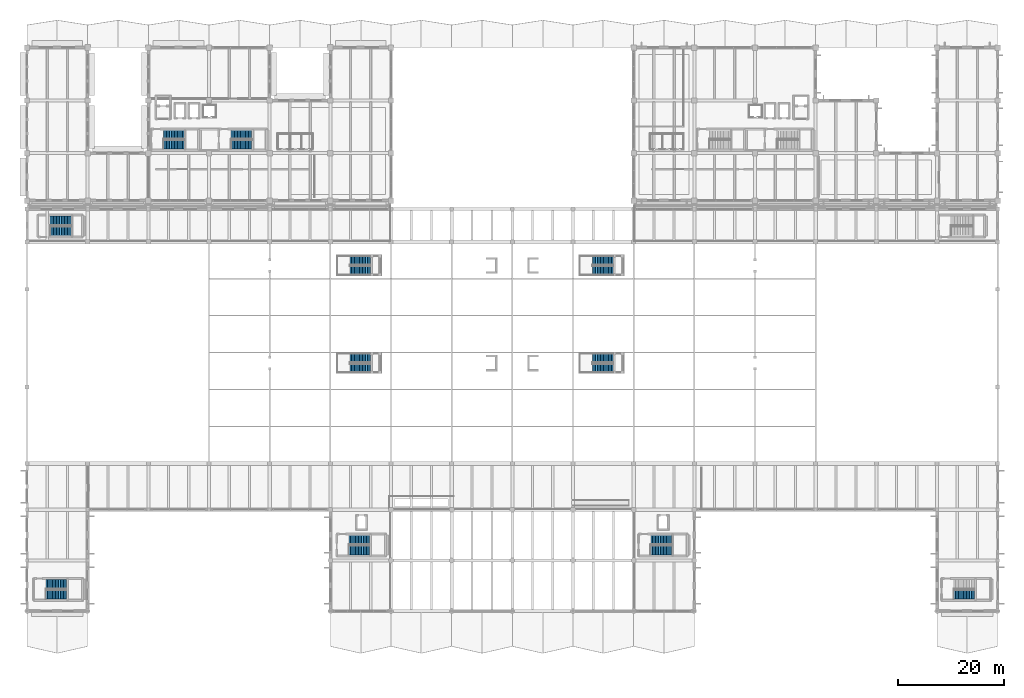
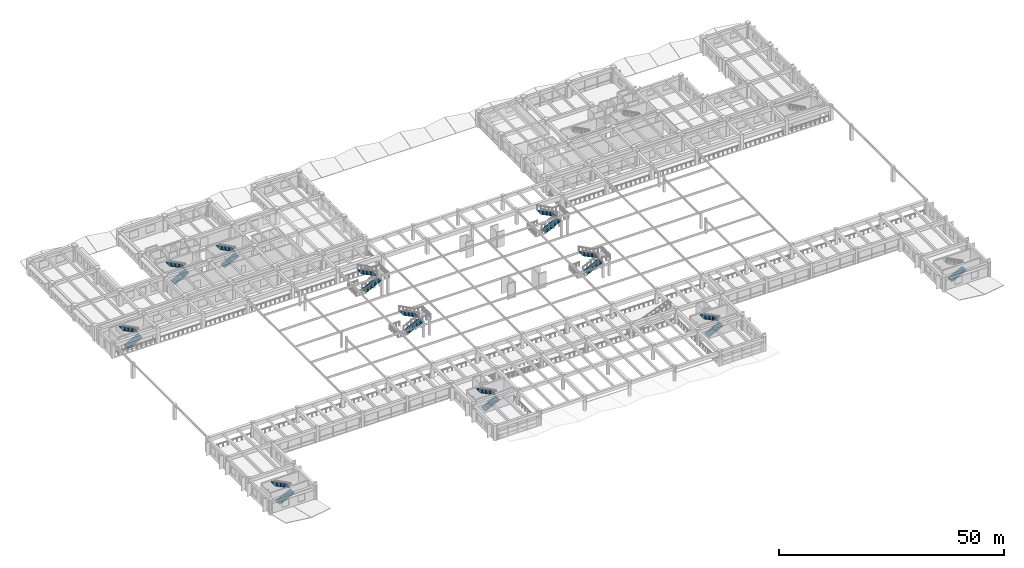
# One storey, part 82 of 98: 21 stair flights, 11 elements without a shape of their own.
"""IFC4 building model written with IfcOpenShell, lengths in metres."""

from ifc_helpers import new_model, si_unit, direction, frame, origin, place, context, subcontext, project, spatial, polyline, outline, extrude, material, type_object, element, aggregate, save


model = new_model("IFC4")

# Units and contexts
model_context = context("Model", 3, precision=1e-05, world=origin(), true_north=direction((0.0, 1.0)))
body_context = subcontext(model_context, "Body", "Model", "MODEL_VIEW")
ifc_project = project(units=[si_unit("LENGTHUNIT", "METRE"), si_unit("AREAUNIT", "SQUARE_METRE"), si_unit("VOLUMEUNIT", "CUBIC_METRE"), si_unit("PLANEANGLEUNIT", "RADIAN"), si_unit("MASSUNIT", "GRAM", prefix="KILO")], contexts=[model_context])

# Site, building, storey
site_placement = place(None, origin())
site = spatial("IfcSite", under=ifc_project, at=site_placement, CompositionType="ELEMENT")
building_placement = place(site_placement, origin())
building = spatial("IfcBuilding", under=site, at=building_placement, Name="Ologun Quay Terminus", CompositionType="ELEMENT")
storey_placement = place(building_placement, frame((0.0, 0.0, 4.199951171875)))
storey = spatial("IfcBuildingStorey", under=building, at=storey_placement, Name="L01", CompositionType="ELEMENT", Elevation=4.199951171875)

# Stair, stair flights
ifc_material_1 = material(Name="Concrete C40/50", Category="concrete")
stair_type_1 = type_object("IfcStairType", Name="Courtyard Wing Core Escape Stair 1700", PredefinedType="HALF_TURN_STAIR", material=ifc_material_1)
stair_1_placement = place(storey_placement, origin())
stair_1 = element("IfcStair", 1, at=stair_1_placement, inside=storey, type_object=stair_type_1, Name="ST-W1 Stair L01", PredefinedType="HALF_TURN_STAIR")
ifc_material_2 = material(Name="Concrete C40/50", Category="concrete")
stair_flight_type_1 = type_object("IfcStairFlightType", Name="Courtyard Wing Precast Concrete Stair Flight 1700", PredefinedType="STRAIGHT", material=ifc_material_2)
stair_flight_1_placement = place(storey_placement, frame((25.85009765625, 96.449951171875, 0.0), z_axis=(0.0, 0.0, 1.0), x_axis=(1.0, 0.0, 0.0)))
stair_flight_1 = element("IfcStairFlight", 2, at=stair_flight_1_placement, type_object=stair_flight_type_1, Name="ST-W1 Lower Flight L01", NumberOfRisers=14, NumberOfTreads=13, PredefinedType="STRAIGHT", RiserHeight=0.15, TreadLength=0.3, context=body_context, shape_type="SweptSolid", body=[
    extrude(outline(polyline([(0.0, 0.0), (0.0, 0.14990234375), (0.300048828125, 0.14990234375), (0.300048828125, 0.300048828125), (0.60009765625, 0.300048828125), (0.60009765625, 0.449951171875), (0.89990234375, 0.449951171875), (0.89990234375, 0.60009765625), (1.199951171875, 0.60009765625), (1.199951171875, 0.75), (1.5, 0.75), (1.5, 0.89990234375), (1.800048828125, 0.89990234375), (1.800048828125, 1.050048828125), (2.10009765625, 1.050048828125), (2.10009765625, 1.199951171875), (2.39990234375, 1.199951171875), (2.39990234375, 1.35009765625), (2.699951171875, 1.35009765625), (2.699951171875, 1.5), (3.0, 1.5), (3.0, 1.64990234375), (3.300048828125, 1.64990234375), (3.300048828125, 1.800048828125), (3.60009765625, 1.800048828125), (3.60009765625, 1.949951171875), (3.89990234375, 1.949951171875), (3.89990234375, 2.10009765625), (3.89990234375, 1.748779296875), (0.40234375, 0.0), (0.0, 0.0)])), frame((0.0, 0.85009765625, 0.0), z_axis=(0.0, -1.0, 0.0), x_axis=(1.0, 0.0, 0.0)), (0.0, 0.0, 1.0), 1.699951171875),
])
stair_flight_2_placement = place(storey_placement, frame((29.75, 98.25, 2.10009765625), z_axis=(0.0, 0.0, 1.0), x_axis=(-1.0, 0.0, 0.0)))
stair_flight_2 = element("IfcStairFlight", 3, at=stair_flight_2_placement, type_object=stair_flight_type_1, Name="ST-W1 Upper Flight L01", NumberOfRisers=14, NumberOfTreads=13, PredefinedType="STRAIGHT", RiserHeight=0.15, TreadLength=0.3, context=body_context, shape_type="SweptSolid", body=[
    extrude(outline(polyline([(0.0, 0.0), (0.0, 0.14990234375), (0.300048828125, 0.14990234375), (0.300048828125, 0.300048828125), (0.60009765625, 0.300048828125), (0.60009765625, 0.449951171875), (0.89990234375, 0.449951171875), (0.89990234375, 0.60009765625), (1.199951171875, 0.60009765625), (1.199951171875, 0.75), (1.5, 0.75), (1.5, 0.89990234375), (1.800048828125, 0.89990234375), (1.800048828125, 1.050048828125), (2.10009765625, 1.050048828125), (2.10009765625, 1.199951171875), (2.39990234375, 1.199951171875), (2.39990234375, 1.35009765625), (2.699951171875, 1.35009765625), (2.699951171875, 1.5), (3.0, 1.5), (3.0, 1.64990234375), (3.300048828125, 1.64990234375), (3.300048828125, 1.800048828125), (3.60009765625, 1.800048828125), (3.60009765625, 1.949951171875), (3.89990234375, 1.949951171875), (3.89990234375, 2.10009765625), (3.89990234375, 1.748779296875), (0.40234375, 0.0), (0.0, 0.0)])), frame((0.0, 0.85009765625, 0.0), z_axis=(0.0, -1.0, 0.0), x_axis=(1.0, 0.0, 0.0)), (0.0, 0.0, 1.0), 1.699951171875),
])
aggregate(stair_1, [stair_flight_1, stair_flight_2])

stair_2_placement = place(storey_placement, origin())
stair_2 = element("IfcStair", 4, at=stair_2_placement, inside=storey, type_object=stair_type_1, Name="ST-W2 Stair L01", PredefinedType="HALF_TURN_STAIR")
stair_flight_3_placement = place(storey_placement, frame((38.699951171875, 96.449951171875, 0.0), z_axis=(0.0, 0.0, 1.0), x_axis=(1.0, 0.0, 0.0)))
stair_flight_3 = element("IfcStairFlight", 5, at=stair_flight_3_placement, type_object=stair_flight_type_1, Name="ST-W2 Lower Flight L01", NumberOfRisers=14, NumberOfTreads=13, PredefinedType="STRAIGHT", RiserHeight=0.15, TreadLength=0.3, context=body_context, shape_type="SweptSolid", body=[
    extrude(outline(polyline([(0.0, 0.0), (0.0, 0.14990234375), (0.300048828125, 0.14990234375), (0.300048828125, 0.300048828125), (0.60009765625, 0.300048828125), (0.60009765625, 0.449951171875), (0.89990234375, 0.449951171875), (0.89990234375, 0.60009765625), (1.199951171875, 0.60009765625), (1.199951171875, 0.75), (1.5, 0.75), (1.5, 0.89990234375), (1.800048828125, 0.89990234375), (1.800048828125, 1.050048828125), (2.10009765625, 1.050048828125), (2.10009765625, 1.199951171875), (2.39990234375, 1.199951171875), (2.39990234375, 1.35009765625), (2.699951171875, 1.35009765625), (2.699951171875, 1.5), (3.0, 1.5), (3.0, 1.64990234375), (3.300048828125, 1.64990234375), (3.300048828125, 1.800048828125), (3.60009765625, 1.800048828125), (3.60009765625, 1.949951171875), (3.89990234375, 1.949951171875), (3.89990234375, 2.10009765625), (3.89990234375, 1.748779296875), (0.40234375, 0.0), (0.0, 0.0)])), frame((0.0, 0.85009765625, 0.0), z_axis=(0.0, -1.0, 0.0), x_axis=(1.0, 0.0, 0.0)), (0.0, 0.0, 1.0), 1.699951171875),
])
stair_flight_4_placement = place(storey_placement, frame((42.60009765625, 98.25, 2.10009765625), z_axis=(0.0, 0.0, 1.0), x_axis=(-1.0, 0.0, 0.0)))
stair_flight_4 = element("IfcStairFlight", 6, at=stair_flight_4_placement, type_object=stair_flight_type_1, Name="ST-W2 Upper Flight L01", NumberOfRisers=14, NumberOfTreads=13, PredefinedType="STRAIGHT", RiserHeight=0.15, TreadLength=0.3, context=body_context, shape_type="SweptSolid", body=[
    extrude(outline(polyline([(0.0, 0.0), (0.0, 0.14990234375), (0.300048828125, 0.14990234375), (0.300048828125, 0.300048828125), (0.60009765625, 0.300048828125), (0.60009765625, 0.449951171875), (0.89990234375, 0.449951171875), (0.89990234375, 0.60009765625), (1.199951171875, 0.60009765625), (1.199951171875, 0.75), (1.5, 0.75), (1.5, 0.89990234375), (1.800048828125, 0.89990234375), (1.800048828125, 1.050048828125), (2.10009765625, 1.050048828125), (2.10009765625, 1.199951171875), (2.39990234375, 1.199951171875), (2.39990234375, 1.35009765625), (2.699951171875, 1.35009765625), (2.699951171875, 1.5), (3.0, 1.5), (3.0, 1.64990234375), (3.300048828125, 1.64990234375), (3.300048828125, 1.800048828125), (3.60009765625, 1.800048828125), (3.60009765625, 1.949951171875), (3.89990234375, 1.949951171875), (3.89990234375, 2.10009765625), (3.89990234375, 1.748779296875), (0.40234375, 0.0), (0.0, 0.0)])), frame((0.0, 0.85009765625, 0.0), z_axis=(0.0, -1.0, 0.0), x_axis=(1.0, 0.0, 0.0)), (0.0, 0.0, 1.0), 1.699951171875),
])
aggregate(stair_2, [stair_flight_3, stair_flight_4])

ifc_material_3 = material(Name="Concrete C40/50", Category="concrete")
stair_type_2 = type_object("IfcStairType", Name="Platform Concourse Transfer Stair 1700", PredefinedType="HALF_TURN_STAIR", material=ifc_material_3)
stair_3_placement = place(storey_placement, origin())
stair_3 = element("IfcStair", 7, at=stair_3_placement, inside=storey, type_object=stair_type_2, Name="ST-P1U Stair L01", PredefinedType="HALF_TURN_STAIR")
ifc_material_4 = material(Name="Concrete C40/50", Category="concrete")
stair_flight_type_2 = type_object("IfcStairFlightType", Name="Platform Transfer Stair Flight 1700", PredefinedType="STRAIGHT", material=ifc_material_4)
stair_flight_5_placement = place(storey_placement, frame((61.199951171875, 54.050048828125, 0.0), z_axis=(0.0, 0.0, 1.0), x_axis=(1.0, 0.0, 0.0)))
stair_flight_5 = element("IfcStairFlight", 8, at=stair_flight_5_placement, type_object=stair_flight_type_2, Name="ST-P1U Lower Flight L01", NumberOfRisers=14, NumberOfTreads=13, PredefinedType="STRAIGHT", RiserHeight=0.15, TreadLength=0.3, context=body_context, shape_type="SweptSolid", body=[
    extrude(outline(polyline([(0.0, 0.0), (0.0, 0.14990234375), (0.300048828125, 0.14990234375), (0.300048828125, 0.300048828125), (0.60009765625, 0.300048828125), (0.60009765625, 0.449951171875), (0.89990234375, 0.449951171875), (0.89990234375, 0.60009765625), (1.199951171875, 0.60009765625), (1.199951171875, 0.75), (1.5, 0.75), (1.5, 0.89990234375), (1.800048828125, 0.89990234375), (1.800048828125, 1.050048828125), (2.10009765625, 1.050048828125), (2.10009765625, 1.199951171875), (2.39990234375, 1.199951171875), (2.39990234375, 1.35009765625), (2.699951171875, 1.35009765625), (2.699951171875, 1.5), (3.0, 1.5), (3.0, 1.64990234375), (3.300048828125, 1.64990234375), (3.300048828125, 1.800048828125), (3.60009765625, 1.800048828125), (3.60009765625, 1.949951171875), (3.89990234375, 1.949951171875), (3.89990234375, 2.10009765625), (3.89990234375, 1.737548828125), (0.4248046875, 0.0), (0.0, 0.0)])), frame((0.0, 0.85009765625, 0.0), z_axis=(0.0, -1.0, 0.0), x_axis=(1.0, 0.0, 0.0)), (0.0, 0.0, 1.0), 1.699951171875),
])
stair_flight_6_placement = place(storey_placement, frame((65.10009765625, 55.949951171875, 2.10009765625), z_axis=(0.0, 0.0, 1.0), x_axis=(-1.0, 0.0, 0.0)))
stair_flight_6 = element("IfcStairFlight", 9, at=stair_flight_6_placement, type_object=stair_flight_type_2, Name="ST-P1U Upper Flight L01", NumberOfRisers=14, NumberOfTreads=13, PredefinedType="STRAIGHT", RiserHeight=0.15, TreadLength=0.3, context=body_context, shape_type="SweptSolid", body=[
    extrude(outline(polyline([(0.0, 0.0), (0.0, 0.14990234375), (0.300048828125, 0.14990234375), (0.300048828125, 0.300048828125), (0.60009765625, 0.300048828125), (0.60009765625, 0.449951171875), (0.89990234375, 0.449951171875), (0.89990234375, 0.60009765625), (1.199951171875, 0.60009765625), (1.199951171875, 0.75), (1.5, 0.75), (1.5, 0.89990234375), (1.800048828125, 0.89990234375), (1.800048828125, 1.050048828125), (2.10009765625, 1.050048828125), (2.10009765625, 1.199951171875), (2.39990234375, 1.199951171875), (2.39990234375, 1.35009765625), (2.699951171875, 1.35009765625), (2.699951171875, 1.5), (3.0, 1.5), (3.0, 1.64990234375), (3.300048828125, 1.64990234375), (3.300048828125, 1.800048828125), (3.60009765625, 1.800048828125), (3.60009765625, 1.949951171875), (3.89990234375, 1.949951171875), (3.89990234375, 2.10009765625), (3.89990234375, 1.737548828125), (0.4248046875, 0.0), (0.0, 0.0)])), frame((0.0, 0.85009765625, 0.0), z_axis=(0.0, -1.0, 0.0), x_axis=(1.0, 0.0, 0.0)), (0.0, 0.0, 1.0), 1.699951171875),
])
aggregate(stair_3, [stair_flight_5, stair_flight_6])

stair_4_placement = place(storey_placement, origin())
stair_4 = element("IfcStair", 10, at=stair_4_placement, inside=storey, type_object=stair_type_2, Name="ST-P2U Stair L01", PredefinedType="HALF_TURN_STAIR")
stair_flight_7_placement = place(storey_placement, frame((107.199951171875, 54.050048828125, 0.0), z_axis=(0.0, 0.0, 1.0), x_axis=(1.0, 0.0, 0.0)))
stair_flight_7 = element("IfcStairFlight", 11, at=stair_flight_7_placement, type_object=stair_flight_type_2, Name="ST-P2U Lower Flight L01", NumberOfRisers=14, NumberOfTreads=13, PredefinedType="STRAIGHT", RiserHeight=0.15, TreadLength=0.3, context=body_context, shape_type="SweptSolid", body=[
    extrude(outline(polyline([(0.0, 0.0), (0.0, 0.14990234375), (0.300048828125, 0.14990234375), (0.300048828125, 0.300048828125), (0.60009765625, 0.300048828125), (0.60009765625, 0.449951171875), (0.89990234375, 0.449951171875), (0.89990234375, 0.60009765625), (1.199951171875, 0.60009765625), (1.199951171875, 0.75), (1.5, 0.75), (1.5, 0.89990234375), (1.800048828125, 0.89990234375), (1.800048828125, 1.050048828125), (2.10009765625, 1.050048828125), (2.10009765625, 1.199951171875), (2.39990234375, 1.199951171875), (2.39990234375, 1.35009765625), (2.699951171875, 1.35009765625), (2.699951171875, 1.5), (3.0, 1.5), (3.0, 1.64990234375), (3.300048828125, 1.64990234375), (3.300048828125, 1.800048828125), (3.60009765625, 1.800048828125), (3.60009765625, 1.949951171875), (3.89990234375, 1.949951171875), (3.89990234375, 2.10009765625), (3.89990234375, 1.737548828125), (0.4248046875, 0.0), (0.0, 0.0)])), frame((0.0, 0.85009765625, 0.0), z_axis=(0.0, -1.0, 0.0), x_axis=(1.0, 0.0, 0.0)), (0.0, 0.0, 1.0), 1.699951171875),
])
stair_flight_8_placement = place(storey_placement, frame((111.10009765625, 55.949951171875, 2.10009765625), z_axis=(0.0, 0.0, 1.0), x_axis=(-1.0, 0.0, 0.0)))
stair_flight_8 = element("IfcStairFlight", 12, at=stair_flight_8_placement, type_object=stair_flight_type_2, Name="ST-P2U Upper Flight L01", NumberOfRisers=14, NumberOfTreads=13, PredefinedType="STRAIGHT", RiserHeight=0.15, TreadLength=0.3, context=body_context, shape_type="SweptSolid", body=[
    extrude(outline(polyline([(0.0, 0.0), (0.0, 0.14990234375), (0.300048828125, 0.14990234375), (0.300048828125, 0.300048828125), (0.60009765625, 0.300048828125), (0.60009765625, 0.449951171875), (0.89990234375, 0.449951171875), (0.89990234375, 0.60009765625), (1.199951171875, 0.60009765625), (1.199951171875, 0.75), (1.5, 0.75), (1.5, 0.89990234375), (1.800048828125, 0.89990234375), (1.800048828125, 1.050048828125), (2.10009765625, 1.050048828125), (2.10009765625, 1.199951171875), (2.39990234375, 1.199951171875), (2.39990234375, 1.35009765625), (2.699951171875, 1.35009765625), (2.699951171875, 1.5), (3.0, 1.5), (3.0, 1.64990234375), (3.300048828125, 1.64990234375), (3.300048828125, 1.800048828125), (3.60009765625, 1.800048828125), (3.60009765625, 1.949951171875), (3.89990234375, 1.949951171875), (3.89990234375, 2.10009765625), (3.89990234375, 1.737548828125), (0.4248046875, 0.0), (0.0, 0.0)])), frame((0.0, 0.85009765625, 0.0), z_axis=(0.0, -1.0, 0.0), x_axis=(1.0, 0.0, 0.0)), (0.0, 0.0, 1.0), 1.699951171875),
])
aggregate(stair_4, [stair_flight_7, stair_flight_8])

stair_5_placement = place(storey_placement, origin())
stair_5 = element("IfcStair", 13, at=stair_5_placement, inside=storey, type_object=stair_type_2, Name="ST-P3U Stair L01", PredefinedType="HALF_TURN_STAIR")
stair_flight_9_placement = place(storey_placement, frame((61.199951171875, 72.550048828125, 0.0), z_axis=(0.0, 0.0, 1.0), x_axis=(1.0, 0.0, 0.0)))
stair_flight_9 = element("IfcStairFlight", 14, at=stair_flight_9_placement, type_object=stair_flight_type_2, Name="ST-P3U Lower Flight L01", NumberOfRisers=14, NumberOfTreads=13, PredefinedType="STRAIGHT", RiserHeight=0.15, TreadLength=0.3, context=body_context, shape_type="SweptSolid", body=[
    extrude(outline(polyline([(0.0, 0.0), (0.0, 0.14990234375), (0.300048828125, 0.14990234375), (0.300048828125, 0.300048828125), (0.60009765625, 0.300048828125), (0.60009765625, 0.449951171875), (0.89990234375, 0.449951171875), (0.89990234375, 0.60009765625), (1.199951171875, 0.60009765625), (1.199951171875, 0.75), (1.5, 0.75), (1.5, 0.89990234375), (1.800048828125, 0.89990234375), (1.800048828125, 1.050048828125), (2.10009765625, 1.050048828125), (2.10009765625, 1.199951171875), (2.39990234375, 1.199951171875), (2.39990234375, 1.35009765625), (2.699951171875, 1.35009765625), (2.699951171875, 1.5), (3.0, 1.5), (3.0, 1.64990234375), (3.300048828125, 1.64990234375), (3.300048828125, 1.800048828125), (3.60009765625, 1.800048828125), (3.60009765625, 1.949951171875), (3.89990234375, 1.949951171875), (3.89990234375, 2.10009765625), (3.89990234375, 1.737548828125), (0.4248046875, 0.0), (0.0, 0.0)])), frame((0.0, 0.85009765625, 0.0), z_axis=(0.0, -1.0, 0.0), x_axis=(1.0, 0.0, 0.0)), (0.0, 0.0, 1.0), 1.699951171875),
])
stair_flight_10_placement = place(storey_placement, frame((65.10009765625, 74.449951171875, 2.10009765625), z_axis=(0.0, 0.0, 1.0), x_axis=(-1.0, 0.0, 0.0)))
stair_flight_10 = element("IfcStairFlight", 15, at=stair_flight_10_placement, type_object=stair_flight_type_2, Name="ST-P3U Upper Flight L01", NumberOfRisers=14, NumberOfTreads=13, PredefinedType="STRAIGHT", RiserHeight=0.15, TreadLength=0.3, context=body_context, shape_type="SweptSolid", body=[
    extrude(outline(polyline([(0.0, 0.0), (0.0, 0.14990234375), (0.300048828125, 0.14990234375), (0.300048828125, 0.300048828125), (0.60009765625, 0.300048828125), (0.60009765625, 0.449951171875), (0.89990234375, 0.449951171875), (0.89990234375, 0.60009765625), (1.199951171875, 0.60009765625), (1.199951171875, 0.75), (1.5, 0.75), (1.5, 0.89990234375), (1.800048828125, 0.89990234375), (1.800048828125, 1.050048828125), (2.10009765625, 1.050048828125), (2.10009765625, 1.199951171875), (2.39990234375, 1.199951171875), (2.39990234375, 1.35009765625), (2.699951171875, 1.35009765625), (2.699951171875, 1.5), (3.0, 1.5), (3.0, 1.64990234375), (3.300048828125, 1.64990234375), (3.300048828125, 1.800048828125), (3.60009765625, 1.800048828125), (3.60009765625, 1.949951171875), (3.89990234375, 1.949951171875), (3.89990234375, 2.10009765625), (3.89990234375, 1.737548828125), (0.4248046875, 0.0), (0.0, 0.0)])), frame((0.0, 0.85009765625, 0.0), z_axis=(0.0, -1.0, 0.0), x_axis=(1.0, 0.0, 0.0)), (0.0, 0.0, 1.0), 1.699951171875),
])
aggregate(stair_5, [stair_flight_9, stair_flight_10])

stair_6_placement = place(storey_placement, origin())
stair_6 = element("IfcStair", 16, at=stair_6_placement, inside=storey, type_object=stair_type_2, Name="ST-P4U Stair L01", PredefinedType="HALF_TURN_STAIR")
stair_flight_11_placement = place(storey_placement, frame((107.199951171875, 72.550048828125, 0.0), z_axis=(0.0, 0.0, 1.0), x_axis=(1.0, 0.0, 0.0)))
stair_flight_11 = element("IfcStairFlight", 17, at=stair_flight_11_placement, type_object=stair_flight_type_2, Name="ST-P4U Lower Flight L01", NumberOfRisers=14, NumberOfTreads=13, PredefinedType="STRAIGHT", RiserHeight=0.15, TreadLength=0.3, context=body_context, shape_type="SweptSolid", body=[
    extrude(outline(polyline([(0.0, 0.0), (0.0, 0.14990234375), (0.300048828125, 0.14990234375), (0.300048828125, 0.300048828125), (0.60009765625, 0.300048828125), (0.60009765625, 0.449951171875), (0.89990234375, 0.449951171875), (0.89990234375, 0.60009765625), (1.199951171875, 0.60009765625), (1.199951171875, 0.75), (1.5, 0.75), (1.5, 0.89990234375), (1.800048828125, 0.89990234375), (1.800048828125, 1.050048828125), (2.10009765625, 1.050048828125), (2.10009765625, 1.199951171875), (2.39990234375, 1.199951171875), (2.39990234375, 1.35009765625), (2.699951171875, 1.35009765625), (2.699951171875, 1.5), (3.0, 1.5), (3.0, 1.64990234375), (3.300048828125, 1.64990234375), (3.300048828125, 1.800048828125), (3.60009765625, 1.800048828125), (3.60009765625, 1.949951171875), (3.89990234375, 1.949951171875), (3.89990234375, 2.10009765625), (3.89990234375, 1.737548828125), (0.4248046875, 0.0), (0.0, 0.0)])), frame((0.0, 0.85009765625, 0.0), z_axis=(0.0, -1.0, 0.0), x_axis=(1.0, 0.0, 0.0)), (0.0, 0.0, 1.0), 1.699951171875),
])
stair_flight_12_placement = place(storey_placement, frame((111.10009765625, 74.449951171875, 2.10009765625), z_axis=(0.0, 0.0, 1.0), x_axis=(-1.0, 0.0, 0.0)))
stair_flight_12 = element("IfcStairFlight", 18, at=stair_flight_12_placement, type_object=stair_flight_type_2, Name="ST-P4U Upper Flight L01", NumberOfRisers=14, NumberOfTreads=13, PredefinedType="STRAIGHT", RiserHeight=0.15, TreadLength=0.3, context=body_context, shape_type="SweptSolid", body=[
    extrude(outline(polyline([(0.0, 0.0), (0.0, 0.14990234375), (0.300048828125, 0.14990234375), (0.300048828125, 0.300048828125), (0.60009765625, 0.300048828125), (0.60009765625, 0.449951171875), (0.89990234375, 0.449951171875), (0.89990234375, 0.60009765625), (1.199951171875, 0.60009765625), (1.199951171875, 0.75), (1.5, 0.75), (1.5, 0.89990234375), (1.800048828125, 0.89990234375), (1.800048828125, 1.050048828125), (2.10009765625, 1.050048828125), (2.10009765625, 1.199951171875), (2.39990234375, 1.199951171875), (2.39990234375, 1.35009765625), (2.699951171875, 1.35009765625), (2.699951171875, 1.5), (3.0, 1.5), (3.0, 1.64990234375), (3.300048828125, 1.64990234375), (3.300048828125, 1.800048828125), (3.60009765625, 1.800048828125), (3.60009765625, 1.949951171875), (3.89990234375, 1.949951171875), (3.89990234375, 2.10009765625), (3.89990234375, 1.737548828125), (0.4248046875, 0.0), (0.0, 0.0)])), frame((0.0, 0.85009765625, 0.0), z_axis=(0.0, -1.0, 0.0), x_axis=(1.0, 0.0, 0.0)), (0.0, 0.0, 1.0), 1.699951171875),
])
aggregate(stair_6, [stair_flight_11, stair_flight_12])

ifc_material_5 = material(Name="Concrete C40/50", Category="concrete")
stair_type_3 = type_object("IfcStairType", Name="Station Concourse Escape Stair 1800", PredefinedType="HALF_TURN_STAIR", material=ifc_material_5)
stair_7_placement = place(storey_placement, origin())
stair_7 = element("IfcStair", 19, at=stair_7_placement, inside=storey, type_object=stair_type_3, Name="ST-S1 Stair L01", PredefinedType="HALF_TURN_STAIR")
ifc_material_6 = material(Name="Concrete C40/50", Category="concrete")
stair_flight_type_3 = type_object("IfcStairFlightType", Name="Station Precast Concrete Stair Flight 1800", PredefinedType="STRAIGHT", material=ifc_material_6)
stair_flight_13_placement = place(storey_placement, frame((3.60009765625, 11.14990234375, 0.0), z_axis=(0.0, 0.0, 1.0), x_axis=(1.0, 0.0, 0.0)))
stair_flight_13 = element("IfcStairFlight", 20, at=stair_flight_13_placement, type_object=stair_flight_type_3, Name="ST-S1 Lower Flight L01", NumberOfRisers=14, NumberOfTreads=13, PredefinedType="STRAIGHT", RiserHeight=0.15, TreadLength=0.3, context=body_context, shape_type="SweptSolid", body=[
    extrude(outline(polyline([(0.0, 0.0), (0.0, 0.14990234375), (0.300048828125, 0.14990234375), (0.300048828125, 0.300048828125), (0.60009765625, 0.300048828125), (0.60009765625, 0.449951171875), (0.89990234375, 0.449951171875), (0.89990234375, 0.60009765625), (1.199951171875, 0.60009765625), (1.199951171875, 0.75), (1.5, 0.75), (1.5, 0.89990234375), (1.800048828125, 0.89990234375), (1.800048828125, 1.050048828125), (2.10009765625, 1.050048828125), (2.10009765625, 1.199951171875), (2.39990234375, 1.199951171875), (2.39990234375, 1.35009765625), (2.699951171875, 1.35009765625), (2.699951171875, 1.5), (3.0, 1.5), (3.0, 1.64990234375), (3.300048828125, 1.64990234375), (3.300048828125, 1.800048828125), (3.60009765625, 1.800048828125), (3.60009765625, 1.949951171875), (3.89990234375, 1.949951171875), (3.89990234375, 2.10009765625), (3.89990234375, 1.7265625), (0.447021484375, 0.0), (0.0, 0.0)])), frame((0.0, 0.89990234375, 0.0), z_axis=(0.0, -1.0, 0.0), x_axis=(1.0, 0.0, 0.0)), (0.0, 0.0, 1.0), 1.800048828125),
])
stair_flight_14_placement = place(storey_placement, frame((7.5, 13.050048828125, 2.10009765625), z_axis=(0.0, 0.0, 1.0), x_axis=(-1.0, 0.0, 0.0)))
stair_flight_14 = element("IfcStairFlight", 21, at=stair_flight_14_placement, type_object=stair_flight_type_3, Name="ST-S1 Upper Flight L01", NumberOfRisers=14, NumberOfTreads=13, PredefinedType="STRAIGHT", RiserHeight=0.15, TreadLength=0.3, context=body_context, shape_type="SweptSolid", body=[
    extrude(outline(polyline([(0.0, 0.0), (0.0, 0.14990234375), (0.300048828125, 0.14990234375), (0.300048828125, 0.300048828125), (0.60009765625, 0.300048828125), (0.60009765625, 0.449951171875), (0.89990234375, 0.449951171875), (0.89990234375, 0.60009765625), (1.199951171875, 0.60009765625), (1.199951171875, 0.75), (1.5, 0.75), (1.5, 0.89990234375), (1.800048828125, 0.89990234375), (1.800048828125, 1.050048828125), (2.10009765625, 1.050048828125), (2.10009765625, 1.199951171875), (2.39990234375, 1.199951171875), (2.39990234375, 1.35009765625), (2.699951171875, 1.35009765625), (2.699951171875, 1.5), (3.0, 1.5), (3.0, 1.64990234375), (3.300048828125, 1.64990234375), (3.300048828125, 1.800048828125), (3.60009765625, 1.800048828125), (3.60009765625, 1.949951171875), (3.89990234375, 1.949951171875), (3.89990234375, 2.10009765625), (3.89990234375, 1.7265625), (0.447021484375, 0.0), (0.0, 0.0)])), frame((0.0, 0.89990234375, 0.0), z_axis=(0.0, -1.0, 0.0), x_axis=(1.0, 0.0, 0.0)), (0.0, 0.0, 1.0), 1.800048828125),
])
aggregate(stair_7, [stair_flight_13, stair_flight_14])

# Stair, stair flight
stair_8_placement = place(storey_placement, origin())
stair_8 = element("IfcStair", 22, at=stair_8_placement, inside=storey, type_object=stair_type_3, Name="ST-S2 Stair L01", PredefinedType="HALF_TURN_STAIR")
stair_flight_15_placement = place(storey_placement, frame((175.699951171875, 11.14990234375, 0.0), z_axis=(0.0, 0.0, 1.0), x_axis=(1.0, 0.0, 0.0)))
stair_flight_15 = element("IfcStairFlight", 23, at=stair_flight_15_placement, type_object=stair_flight_type_3, Name="ST-S2 Lower Flight L01", NumberOfRisers=14, NumberOfTreads=13, PredefinedType="STRAIGHT", RiserHeight=0.15, TreadLength=0.3, context=body_context, shape_type="SweptSolid", body=[
    extrude(outline(polyline([(0.0, 0.0), (0.0, 0.14990234375), (0.300048828125, 0.14990234375), (0.300048828125, 0.300048828125), (0.60009765625, 0.300048828125), (0.60009765625, 0.449951171875), (0.89990234375, 0.449951171875), (0.89990234375, 0.60009765625), (1.199951171875, 0.60009765625), (1.199951171875, 0.75), (1.5, 0.75), (1.5, 0.89990234375), (1.800048828125, 0.89990234375), (1.800048828125, 1.050048828125), (2.10009765625, 1.050048828125), (2.10009765625, 1.199951171875), (2.39990234375, 1.199951171875), (2.39990234375, 1.35009765625), (2.699951171875, 1.35009765625), (2.699951171875, 1.5), (3.0, 1.5), (3.0, 1.64990234375), (3.300048828125, 1.64990234375), (3.300048828125, 1.800048828125), (3.60009765625, 1.800048828125), (3.60009765625, 1.949951171875), (3.89990234375, 1.949951171875), (3.89990234375, 2.10009765625), (3.89990234375, 1.7265625), (0.447021484375, 0.0), (0.0, 0.0)])), frame((0.0, 0.89990234375, 0.0), z_axis=(0.0, -1.0, 0.0), x_axis=(1.0, 0.0, 0.0)), (0.0, 0.0, 1.0), 1.800048828125),
])
aggregate(stair_8, [stair_flight_15])

# Stair, stair flights
stair_9_placement = place(storey_placement, origin())
stair_9 = element("IfcStair", 24, at=stair_9_placement, inside=storey, type_object=stair_type_3, Name="ST-S3 Stair L01", PredefinedType="HALF_TURN_STAIR")
stair_flight_16_placement = place(storey_placement, frame((61.050048828125, 19.550048828125, 0.0), z_axis=(0.0, 0.0, 1.0), x_axis=(1.0, 0.0, 0.0)))
stair_flight_16 = element("IfcStairFlight", 25, at=stair_flight_16_placement, type_object=stair_flight_type_3, Name="ST-S3 Lower Flight L01", NumberOfRisers=14, NumberOfTreads=13, PredefinedType="STRAIGHT", RiserHeight=0.15, TreadLength=0.3, context=body_context, shape_type="SweptSolid", body=[
    extrude(outline(polyline([(0.0, 0.0), (0.0, 0.14990234375), (0.300048828125, 0.14990234375), (0.300048828125, 0.300048828125), (0.60009765625, 0.300048828125), (0.60009765625, 0.449951171875), (0.89990234375, 0.449951171875), (0.89990234375, 0.60009765625), (1.199951171875, 0.60009765625), (1.199951171875, 0.75), (1.5, 0.75), (1.5, 0.89990234375), (1.800048828125, 0.89990234375), (1.800048828125, 1.050048828125), (2.10009765625, 1.050048828125), (2.10009765625, 1.199951171875), (2.39990234375, 1.199951171875), (2.39990234375, 1.35009765625), (2.699951171875, 1.35009765625), (2.699951171875, 1.5), (3.0, 1.5), (3.0, 1.64990234375), (3.300048828125, 1.64990234375), (3.300048828125, 1.800048828125), (3.60009765625, 1.800048828125), (3.60009765625, 1.949951171875), (3.89990234375, 1.949951171875), (3.89990234375, 2.10009765625), (3.89990234375, 1.7265625), (0.447021484375, 0.0), (0.0, 0.0)])), frame((0.0, 0.89990234375, 0.0), z_axis=(0.0, -1.0, 0.0), x_axis=(1.0, 0.0, 0.0)), (0.0, 0.0, 1.0), 1.800048828125),
])
stair_flight_17_placement = place(storey_placement, frame((64.949951171875, 21.449951171875, 2.10009765625), z_axis=(0.0, 0.0, 1.0), x_axis=(-1.0, 0.0, 0.0)))
stair_flight_17 = element("IfcStairFlight", 26, at=stair_flight_17_placement, type_object=stair_flight_type_3, Name="ST-S3 Upper Flight L01", NumberOfRisers=14, NumberOfTreads=13, PredefinedType="STRAIGHT", RiserHeight=0.15, TreadLength=0.3, context=body_context, shape_type="SweptSolid", body=[
    extrude(outline(polyline([(0.0, 0.0), (0.0, 0.14990234375), (0.300048828125, 0.14990234375), (0.300048828125, 0.300048828125), (0.60009765625, 0.300048828125), (0.60009765625, 0.449951171875), (0.89990234375, 0.449951171875), (0.89990234375, 0.60009765625), (1.199951171875, 0.60009765625), (1.199951171875, 0.75), (1.5, 0.75), (1.5, 0.89990234375), (1.800048828125, 0.89990234375), (1.800048828125, 1.050048828125), (2.10009765625, 1.050048828125), (2.10009765625, 1.199951171875), (2.39990234375, 1.199951171875), (2.39990234375, 1.35009765625), (2.699951171875, 1.35009765625), (2.699951171875, 1.5), (3.0, 1.5), (3.0, 1.64990234375), (3.300048828125, 1.64990234375), (3.300048828125, 1.800048828125), (3.60009765625, 1.800048828125), (3.60009765625, 1.949951171875), (3.89990234375, 1.949951171875), (3.89990234375, 2.10009765625), (3.89990234375, 1.7265625), (0.447021484375, 0.0), (0.0, 0.0)])), frame((0.0, 0.89990234375, 0.0), z_axis=(0.0, -1.0, 0.0), x_axis=(1.0, 0.0, 0.0)), (0.0, 0.0, 1.0), 1.800048828125),
])
aggregate(stair_9, [stair_flight_16, stair_flight_17])

stair_10_placement = place(storey_placement, origin())
stair_10 = element("IfcStair", 27, at=stair_10_placement, inside=storey, type_object=stair_type_3, Name="ST-S4 Stair L01", PredefinedType="HALF_TURN_STAIR")
stair_flight_18_placement = place(storey_placement, frame((118.25, 19.550048828125, 0.0), z_axis=(0.0, 0.0, 1.0), x_axis=(1.0, 0.0, 0.0)))
stair_flight_18 = element("IfcStairFlight", 28, at=stair_flight_18_placement, type_object=stair_flight_type_3, Name="ST-S4 Lower Flight L01", NumberOfRisers=14, NumberOfTreads=13, PredefinedType="STRAIGHT", RiserHeight=0.15, TreadLength=0.3, context=body_context, shape_type="SweptSolid", body=[
    extrude(outline(polyline([(0.0, 0.0), (0.0, 0.14990234375), (0.300048828125, 0.14990234375), (0.300048828125, 0.300048828125), (0.60009765625, 0.300048828125), (0.60009765625, 0.449951171875), (0.89990234375, 0.449951171875), (0.89990234375, 0.60009765625), (1.199951171875, 0.60009765625), (1.199951171875, 0.75), (1.5, 0.75), (1.5, 0.89990234375), (1.800048828125, 0.89990234375), (1.800048828125, 1.050048828125), (2.10009765625, 1.050048828125), (2.10009765625, 1.199951171875), (2.39990234375, 1.199951171875), (2.39990234375, 1.35009765625), (2.699951171875, 1.35009765625), (2.699951171875, 1.5), (3.0, 1.5), (3.0, 1.64990234375), (3.300048828125, 1.64990234375), (3.300048828125, 1.800048828125), (3.60009765625, 1.800048828125), (3.60009765625, 1.949951171875), (3.89990234375, 1.949951171875), (3.89990234375, 2.10009765625), (3.89990234375, 1.7265625), (0.447021484375, 0.0), (0.0, 0.0)])), frame((0.0, 0.89990234375, 0.0), z_axis=(0.0, -1.0, 0.0), x_axis=(1.0, 0.0, 0.0)), (0.0, 0.0, 1.0), 1.800048828125),
])
stair_flight_19_placement = place(storey_placement, frame((122.14990234375, 21.449951171875, 2.10009765625), z_axis=(0.0, 0.0, 1.0), x_axis=(-1.0, 0.0, 0.0)))
stair_flight_19 = element("IfcStairFlight", 29, at=stair_flight_19_placement, type_object=stair_flight_type_3, Name="ST-S4 Upper Flight L01", NumberOfRisers=14, NumberOfTreads=13, PredefinedType="STRAIGHT", RiserHeight=0.15, TreadLength=0.3, context=body_context, shape_type="SweptSolid", body=[
    extrude(outline(polyline([(0.0, 0.0), (0.0, 0.14990234375), (0.300048828125, 0.14990234375), (0.300048828125, 0.300048828125), (0.60009765625, 0.300048828125), (0.60009765625, 0.449951171875), (0.89990234375, 0.449951171875), (0.89990234375, 0.60009765625), (1.199951171875, 0.60009765625), (1.199951171875, 0.75), (1.5, 0.75), (1.5, 0.89990234375), (1.800048828125, 0.89990234375), (1.800048828125, 1.050048828125), (2.10009765625, 1.050048828125), (2.10009765625, 1.199951171875), (2.39990234375, 1.199951171875), (2.39990234375, 1.35009765625), (2.699951171875, 1.35009765625), (2.699951171875, 1.5), (3.0, 1.5), (3.0, 1.64990234375), (3.300048828125, 1.64990234375), (3.300048828125, 1.800048828125), (3.60009765625, 1.800048828125), (3.60009765625, 1.949951171875), (3.89990234375, 1.949951171875), (3.89990234375, 2.10009765625), (3.89990234375, 1.7265625), (0.447021484375, 0.0), (0.0, 0.0)])), frame((0.0, 0.89990234375, 0.0), z_axis=(0.0, -1.0, 0.0), x_axis=(1.0, 0.0, 0.0)), (0.0, 0.0, 1.0), 1.800048828125),
])
aggregate(stair_10, [stair_flight_18, stair_flight_19])

stair_11_placement = place(storey_placement, origin())
stair_11 = element("IfcStair", 30, at=stair_11_placement, inside=storey, type_object=stair_type_3, Name="ST-NG1 Stair L01", PredefinedType="HALF_TURN_STAIR")
stair_flight_20_placement = place(storey_placement, frame((4.39990234375, 80.050048828125, 0.0), z_axis=(0.0, 0.0, 1.0), x_axis=(1.0, 0.0, 0.0)))
stair_flight_20 = element("IfcStairFlight", 31, at=stair_flight_20_placement, type_object=stair_flight_type_3, Name="ST-NG1 Lower Flight L01", NumberOfRisers=14, NumberOfTreads=13, PredefinedType="STRAIGHT", RiserHeight=0.15, TreadLength=0.3, context=body_context, shape_type="SweptSolid", body=[
    extrude(outline(polyline([(0.0, 0.0), (0.0, 0.14990234375), (0.300048828125, 0.14990234375), (0.300048828125, 0.300048828125), (0.60009765625, 0.300048828125), (0.60009765625, 0.449951171875), (0.89990234375, 0.449951171875), (0.89990234375, 0.60009765625), (1.199951171875, 0.60009765625), (1.199951171875, 0.75), (1.5, 0.75), (1.5, 0.89990234375), (1.800048828125, 0.89990234375), (1.800048828125, 1.050048828125), (2.10009765625, 1.050048828125), (2.10009765625, 1.199951171875), (2.39990234375, 1.199951171875), (2.39990234375, 1.35009765625), (2.699951171875, 1.35009765625), (2.699951171875, 1.5), (3.0, 1.5), (3.0, 1.64990234375), (3.300048828125, 1.64990234375), (3.300048828125, 1.800048828125), (3.60009765625, 1.800048828125), (3.60009765625, 1.949951171875), (3.89990234375, 1.949951171875), (3.89990234375, 2.10009765625), (3.89990234375, 1.7265625), (0.447021484375, 0.0), (0.0, 0.0)])), frame((0.0, 0.89990234375, 0.0), z_axis=(0.0, -1.0, 0.0), x_axis=(1.0, 0.0, 0.0)), (0.0, 0.0, 1.0), 1.800048828125),
])
stair_flight_21_placement = place(storey_placement, frame((8.300048828125, 81.949951171875, 2.10009765625), z_axis=(0.0, 0.0, 1.0), x_axis=(-1.0, 0.0, 0.0)))
stair_flight_21 = element("IfcStairFlight", 32, at=stair_flight_21_placement, type_object=stair_flight_type_3, Name="ST-NG1 Upper Flight L01", NumberOfRisers=14, NumberOfTreads=13, PredefinedType="STRAIGHT", RiserHeight=0.15, TreadLength=0.3, context=body_context, shape_type="SweptSolid", body=[
    extrude(outline(polyline([(0.0, 0.0), (0.0, 0.14990234375), (0.300048828125, 0.14990234375), (0.300048828125, 0.300048828125), (0.60009765625, 0.300048828125), (0.60009765625, 0.449951171875), (0.89990234375, 0.449951171875), (0.89990234375, 0.60009765625), (1.199951171875, 0.60009765625), (1.199951171875, 0.75), (1.5, 0.75), (1.5, 0.89990234375), (1.800048828125, 0.89990234375), (1.800048828125, 1.050048828125), (2.10009765625, 1.050048828125), (2.10009765625, 1.199951171875), (2.39990234375, 1.199951171875), (2.39990234375, 1.35009765625), (2.699951171875, 1.35009765625), (2.699951171875, 1.5), (3.0, 1.5), (3.0, 1.64990234375), (3.300048828125, 1.64990234375), (3.300048828125, 1.800048828125), (3.60009765625, 1.800048828125), (3.60009765625, 1.949951171875), (3.89990234375, 1.949951171875), (3.89990234375, 2.10009765625), (3.89990234375, 1.7265625), (0.447021484375, 0.0), (0.0, 0.0)])), frame((0.0, 0.89990234375, 0.0), z_axis=(0.0, -1.0, 0.0), x_axis=(1.0, 0.0, 0.0)), (0.0, 0.0, 1.0), 1.800048828125),
])
aggregate(stair_11, [stair_flight_20, stair_flight_21])

save(model, "model.ifc")
